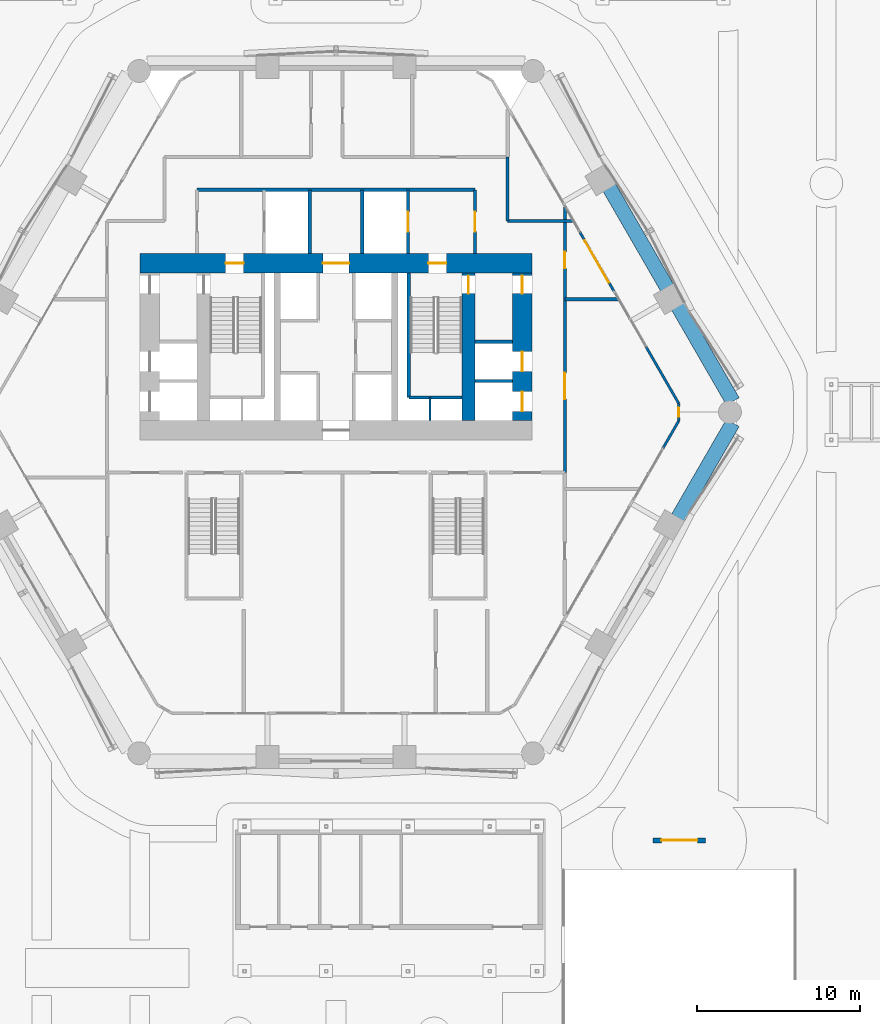
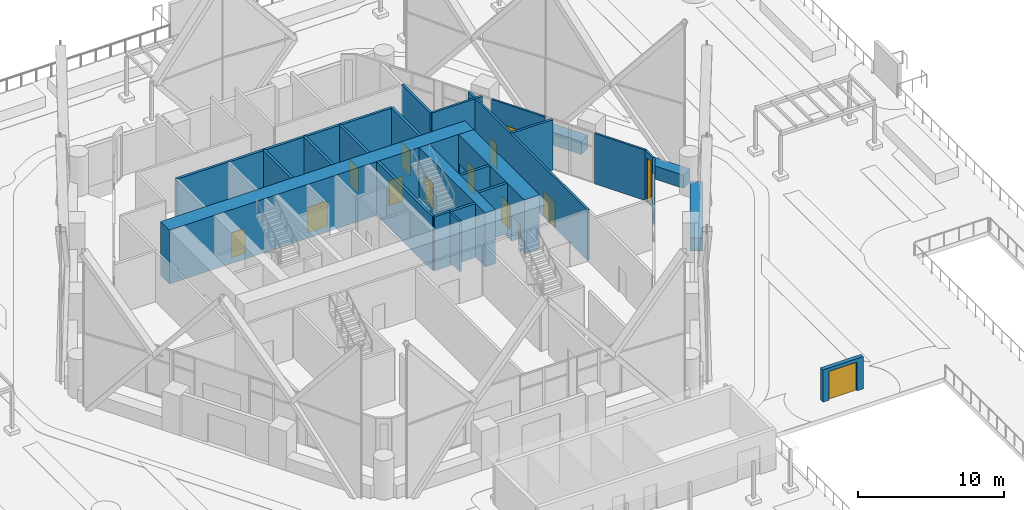
# One storey, part 55 of 71: 25 walls, 13 doors, 1 window, 14 openings.
"""IFC4 building model written with IfcOpenShell, lengths in metres."""

from ifc_helpers import new_model, si_unit, direction, frame, frame_2d, origin, place, context, subcontext, project, spatial, rectangle, extrude, material, layer, layer_set, type_object, element, fill, save


model = new_model("IFC4")

# Units and contexts
model_context = context("Model", 3, precision=1e-05, world=origin(), true_north=direction((0.0, 1.0)))
body_context = subcontext(model_context, "Body", "Model", "MODEL_VIEW")
ifc_project = project(units=[si_unit("LENGTHUNIT", "METRE"), si_unit("AREAUNIT", "SQUARE_METRE"), si_unit("VOLUMEUNIT", "CUBIC_METRE"), si_unit("PLANEANGLEUNIT", "RADIAN"), si_unit("MASSUNIT", "GRAM", prefix="KILO")], contexts=[model_context])

# Site, building, storey
site_placement = place(None, origin())
site = spatial("IfcSite", under=ifc_project, at=site_placement, CompositionType="ELEMENT")
building_placement = place(site_placement, origin())
building = spatial("IfcBuilding", under=site, at=building_placement, Name="Ostrander Bayou Hotel Tower", CompositionType="ELEMENT")
storey_placement = place(building_placement, frame((0.0, 0.0, 10.0)))
storey = spatial("IfcBuildingStorey", under=building, at=storey_placement, Name="L02", CompositionType="ELEMENT", Elevation=10.0)

# Wall, openings, doors
ifc_material_1 = material(Name="Concrete f'c 70 MPa", Category="concrete")
ifc_layer_1 = layer(ifc_material_1, 1.199951171875)
ifc_layer_set_1 = layer_set([ifc_layer_1], Name="CW1 core wall 1200 mm f'c 70 MPa")
wall_type_1 = type_object("IfcWallType", Name="CW1 core wall 1200 mm f'c 70 MPa", PredefinedType="SHEAR", material=ifc_layer_set_1)
wall_1_placement = place(storey_placement, frame((-12.0, 9.10009765625, -0.300048828125), z_axis=(0.0, 0.0, 1.0), x_axis=(1.0, 0.0, 0.0)))
wall_1 = element("IfcWall", 1, at=wall_1_placement, inside=storey, type_object=wall_type_1, Name="CW1 L02 N", PredefinedType="SHEAR", context=body_context, shape_type="SweptSolid", body=[
    extrude(rectangle(XDim=24.0, YDim=1.199951171875, at=frame_2d((12.0, 0.0))), origin(), (0.0, 0.0, 1.0), 4.5),
])
opening_1_placement = place(wall_1_placement, frame((11.199951171875, 0.0, 0.0)))
opening_1 = element("IfcOpeningElement", 2, at=opening_1_placement, cuts=wall_1, Name="Opening T02-002", PredefinedType="OPENING", context=body_context, shape_type="SweptSolid", body=[
    extrude(rectangle(XDim=1.60009765625, YDim=2.10009765625, at=frame_2d((0.800048828125, 1.050048828125))), frame((0.0, 0.60009765625, 0.0), z_axis=(0.0, -1.0, 0.0), x_axis=(1.0, 0.0, 0.0)), (0.0, 0.0, 1.0), 1.199951171875),
])
opening_2_placement = place(wall_1_placement, frame((5.25, 0.0, 0.0)))
opening_2 = element("IfcOpeningElement", 3, at=opening_2_placement, cuts=wall_1, Name="Opening T02-003", PredefinedType="OPENING", context=body_context, shape_type="SweptSolid", body=[
    extrude(rectangle(XDim=1.10009765625, YDim=2.10009765625, at=frame_2d((0.550048828125, 1.050048828125))), frame((0.0, 0.60009765625, 0.0), z_axis=(0.0, -1.0, 0.0), x_axis=(1.0, 0.0, 0.0)), (0.0, 0.0, 1.0), 1.199951171875),
])
opening_3_placement = place(wall_1_placement, frame((17.64990234375, 0.0, 0.0)))
opening_3 = element("IfcOpeningElement", 4, at=opening_3_placement, cuts=wall_1, Name="Opening T02-005", PredefinedType="OPENING", context=body_context, shape_type="SweptSolid", body=[
    extrude(rectangle(XDim=1.10009765625, YDim=2.10009765625, at=frame_2d((0.550048828125, 1.050048828125))), frame((0.0, 0.60009765625, 0.0), z_axis=(0.0, -1.0, 0.0), x_axis=(1.0, 0.0, 0.0)), (0.0, 0.0, 1.0), 1.199951171875),
])
ifc_material_2 = material(Name="Timber door leaf", Category="wood")
door_type_1 = type_object("IfcDoorType", Name="D13 double door 1600 x 2100 mm, 1 hour", OperationType="SINGLE_SWING_LEFT", PredefinedType="DOOR", material=ifc_material_2)
door_1_placement = place(opening_1_placement, origin())
door_1 = element("IfcDoor", 5, at=door_1_placement, inside=storey, type_object=door_type_1, Name="dr:L02:002", OperationType="DOUBLE_DOOR_SINGLE_SWING", OverallHeight=2.10009765625, OverallWidth=1.60009765625, PredefinedType="DOOR", context=body_context, shape_type="SweptSolid", body=[
    extrude(rectangle(XDim=1.60009765625, YDim=2.10009765625, at=frame_2d((0.800048828125, 1.050048828125))), frame((0.0, 0.02490234375, 0.0), z_axis=(0.0, -1.0, 0.0), x_axis=(1.0, 0.0, 0.0)), (0.0, 0.0, 1.0), 0.050048828125),
])
fill(opening_1, door_1)
ifc_material_3 = material(Name="Timber door leaf", Category="wood")
door_type_2 = type_object("IfcDoorType", Name="D5 stair door 1100 x 2100 mm, 90 minute", OperationType="SINGLE_SWING_LEFT", PredefinedType="DOOR", material=ifc_material_3)
door_2_placement = place(opening_2_placement, origin())
door_2 = element("IfcDoor", 6, at=door_2_placement, inside=storey, type_object=door_type_2, Name="dr:L02:003", OperationType="SINGLE_SWING_LEFT", OverallHeight=2.10009765625, OverallWidth=1.10009765625, PredefinedType="DOOR", context=body_context, shape_type="SweptSolid", body=[
    extrude(rectangle(XDim=1.10009765625, YDim=2.10009765625, at=frame_2d((0.550048828125, 1.050048828125))), frame((0.0, 0.02490234375, 0.0), z_axis=(0.0, -1.0, 0.0), x_axis=(1.0, 0.0, 0.0)), (0.0, 0.0, 1.0), 0.050048828125),
])
fill(opening_2, door_2)
door_3_placement = place(opening_3_placement, origin())
door_3 = element("IfcDoor", 7, at=door_3_placement, inside=storey, type_object=door_type_2, Name="dr:L02:005", OperationType="SINGLE_SWING_RIGHT", OverallHeight=2.10009765625, OverallWidth=1.10009765625, PredefinedType="DOOR", context=body_context, shape_type="SweptSolid", body=[
    extrude(rectangle(XDim=1.10009765625, YDim=2.10009765625, at=frame_2d((0.550048828125, 1.050048828125))), frame((0.0, 0.02490234375, 0.0), z_axis=(0.0, -1.0, 0.0), x_axis=(1.0, 0.0, 0.0)), (0.0, 0.0, 1.0), 0.050048828125),
])
fill(opening_3, door_3)

wall_2_placement = place(storey_placement, frame((11.39990234375, -0.5, -0.300048828125), z_axis=(0.0, 0.0, 1.0), x_axis=(0.0, 1.0, 0.0)))
wall_2 = element("IfcWall", 8, at=wall_2_placement, inside=storey, type_object=wall_type_1, Name="CW1 L02 RE", PredefinedType="SHEAR", context=body_context, shape_type="SweptSolid", body=[
    extrude(rectangle(XDim=9.0, YDim=1.199951171875, at=frame_2d((4.5, 0.0))), origin(), (0.0, 0.0, 1.0), 4.5),
])
opening_4_placement = place(wall_2_placement, frame((7.75, 0.0, 0.0)))
opening_4 = element("IfcOpeningElement", 9, at=opening_4_placement, cuts=wall_2, Name="Opening T02-017", PredefinedType="OPENING", context=body_context, shape_type="SweptSolid", body=[
    extrude(rectangle(XDim=1.10009765625, YDim=2.10009765625, at=frame_2d((0.550048828125, 1.050048828125))), frame((0.0, 0.60009765625, 0.0), z_axis=(0.0, -1.0, 0.0), x_axis=(1.0, 0.0, 0.0)), (0.0, 0.0, 1.0), 1.199951171875),
])
opening_5_placement = place(wall_2_placement, frame((0.550048828125, 0.0, 0.0)))
opening_5 = element("IfcOpeningElement", 10, at=opening_5_placement, cuts=wall_2, Name="Opening T02-018", PredefinedType="OPENING", context=body_context, shape_type="SweptSolid", body=[
    extrude(rectangle(XDim=1.199951171875, YDim=2.10009765625, at=frame_2d((0.60009765625, 1.050048828125))), frame((0.0, 0.60009765625, 0.0), z_axis=(0.0, -1.0, 0.0), x_axis=(1.0, 0.0, 0.0)), (0.0, 0.0, 1.0), 1.199951171875),
])
opening_6_placement = place(wall_2_placement, frame((3.0, 0.0, 0.0)))
opening_6 = element("IfcOpeningElement", 11, at=opening_6_placement, cuts=wall_2, Name="Opening T02-019", PredefinedType="OPENING", context=body_context, shape_type="SweptSolid", body=[
    extrude(rectangle(XDim=1.199951171875, YDim=2.10009765625, at=frame_2d((0.60009765625, 1.050048828125))), frame((0.0, 0.60009765625, 0.0), z_axis=(0.0, -1.0, 0.0), x_axis=(1.0, 0.0, 0.0)), (0.0, 0.0, 1.0), 1.199951171875),
])
door_4_placement = place(opening_4_placement, origin())
door_4 = element("IfcDoor", 12, at=door_4_placement, inside=storey, type_object=door_type_2, Name="dr:L02:017", OperationType="SINGLE_SWING_RIGHT", OverallHeight=2.10009765625, OverallWidth=1.10009765625, PredefinedType="DOOR", context=body_context, shape_type="SweptSolid", body=[
    extrude(rectangle(XDim=1.10009765625, YDim=2.10009765625, at=frame_2d((0.550048828125, 1.050048828125))), frame((0.0, 0.02490234375, 0.0), z_axis=(0.0, -1.0, 0.0), x_axis=(1.0, 0.0, 0.0)), (0.0, 0.0, 1.0), 0.050048828125),
])
fill(opening_4, door_4)
ifc_material_4 = material(Name="Stainless steel sliding door", Category="steel")
door_type_3 = type_object("IfcDoorType", Name="LD1 lift landing door 1200 x 2100 mm", OperationType="SINGLE_SWING_LEFT", PredefinedType="DOOR", material=ifc_material_4)
door_5_placement = place(opening_5_placement, origin())
door_5 = element("IfcDoor", 13, at=door_5_placement, inside=storey, type_object=door_type_3, Name="dr:L02:018", OperationType="SLIDING_TO_LEFT", OverallHeight=2.10009765625, OverallWidth=1.199951171875, PredefinedType="DOOR", context=body_context, shape_type="SweptSolid", body=[
    extrude(rectangle(XDim=1.199951171875, YDim=2.10009765625, at=frame_2d((0.60009765625, 1.050048828125))), frame((0.0, 0.02490234375, 0.0), z_axis=(0.0, -1.0, 0.0), x_axis=(1.0, 0.0, 0.0)), (0.0, 0.0, 1.0), 0.050048828125),
])
fill(opening_5, door_5)
door_6_placement = place(opening_6_placement, origin())
door_6 = element("IfcDoor", 14, at=door_6_placement, inside=storey, type_object=door_type_3, Name="dr:L02:019", OperationType="SLIDING_TO_LEFT", OverallHeight=2.10009765625, OverallWidth=1.199951171875, PredefinedType="DOOR", context=body_context, shape_type="SweptSolid", body=[
    extrude(rectangle(XDim=1.199951171875, YDim=2.10009765625, at=frame_2d((0.60009765625, 1.050048828125))), frame((0.0, 0.02490234375, 0.0), z_axis=(0.0, -1.0, 0.0), x_axis=(1.0, 0.0, 0.0)), (0.0, 0.0, 1.0), 0.050048828125),
])
fill(opening_6, door_6)

# Wall, opening, door
ifc_material_5 = material(Name="Concrete f'c 70 MPa", Category="concrete")
ifc_layer_2 = layer(ifc_material_5, 0.800048828125)
ifc_layer_set_2 = layer_set([ifc_layer_2], Name="CW2 core spine wall 800 mm f'c 70 MPa")
wall_type_2 = type_object("IfcWallType", Name="CW2 core spine wall 800 mm f'c 70 MPa", PredefinedType="SHEAR", material=ifc_layer_set_2)
wall_3_placement = place(storey_placement, frame((8.10009765625, -0.5, -0.300048828125), z_axis=(0.0, 0.0, 1.0), x_axis=(0.0, 1.0, 0.0)))
wall_3 = element("IfcWall", 15, at=wall_3_placement, inside=storey, type_object=wall_type_2, Name="CW2 L02 E", PredefinedType="SHEAR", context=body_context, shape_type="SweptSolid", body=[
    extrude(rectangle(XDim=9.0, YDim=0.800048828125, at=frame_2d((4.5, 0.0))), origin(), (0.0, 0.0, 1.0), 4.5),
])
opening_7_placement = place(wall_3_placement, frame((7.75, 0.0, 0.0)))
opening_7 = element("IfcOpeningElement", 16, at=opening_7_placement, cuts=wall_3, Name="Opening T02-006", PredefinedType="OPENING", context=body_context, shape_type="SweptSolid", body=[
    extrude(rectangle(XDim=1.10009765625, YDim=2.10009765625, at=frame_2d((0.550048828125, 1.050048828125))), frame((0.0, 0.39990234375, 0.0), z_axis=(0.0, -1.0, 0.0), x_axis=(1.0, 0.0, 0.0)), (0.0, 0.0, 1.0), 0.800048828125),
])
door_7_placement = place(opening_7_placement, origin())
door_7 = element("IfcDoor", 17, at=door_7_placement, inside=storey, type_object=door_type_2, Name="dr:L02:006", OperationType="SINGLE_SWING_LEFT", OverallHeight=2.10009765625, OverallWidth=1.10009765625, PredefinedType="DOOR", context=body_context, shape_type="SweptSolid", body=[
    extrude(rectangle(XDim=1.10009765625, YDim=2.10009765625, at=frame_2d((0.550048828125, 1.050048828125))), frame((0.0, 0.02490234375, 0.0), z_axis=(0.0, -1.0, 0.0), x_axis=(1.0, 0.0, 0.0)), (0.0, 0.0, 1.0), 0.050048828125),
])
fill(opening_7, door_7)

# Wall
ifc_material_6 = material(Name="Aluminium framed insulated wall", Category="aluminium")
ifc_layer_3 = layer(ifc_material_6, 0.14990234375)
ifc_layer_set_3 = layer_set([ifc_layer_3], Name="GW1 glass-line wall 150 mm")
wall_type_3 = type_object("IfcWallType", Name="GW1 glass-line wall 150 mm", PredefinedType="SOLIDWALL", material=ifc_layer_set_3)
wall_4_placement = place(storey_placement, frame((20.006591796875, -2.19775390625, 0.0), z_axis=(0.0, 0.0, 1.0), x_axis=(0.499989888488, 0.86603124159, 0.0)))
element("IfcWall", 18, at=wall_4_placement, inside=storey, type_object=wall_type_3, Name="GW1 L02 SE end 2", PredefinedType="SOLIDWALL", context=body_context, shape_type="SweptSolid", body=[
    extrude(rectangle(XDim=1.9228515625, YDim=0.14990234375, at=frame_2d((0.96142578125, 0.0))), origin(), (0.0, 0.0, 1.0), 4.199951171875),
])

# Wall, opening, door
wall_5_placement = place(storey_placement, frame((17.006591796875, 7.393798828125, 0.0), z_axis=(0.0, 0.0, 1.0), x_axis=(-0.500002543286, 0.866023935413, 0.0)))
wall_5 = element("IfcWall", 19, at=wall_5_placement, inside=storey, type_object=wall_type_3, Name="GW1 L02 NE 3", PredefinedType="SOLIDWALL", context=body_context, shape_type="SweptSolid", body=[
    extrude(rectangle(XDim=4.2001953125, YDim=0.14990234375, at=frame_2d((2.10009765625, 0.0))), origin(), (0.0, 0.0, 1.0), 4.199951171875),
])
opening_8_placement = place(wall_5_placement, frame((0.60009765625, 0.0, 0.0)))
opening_8 = element("IfcOpeningElement", 20, at=opening_8_placement, cuts=wall_5, Name="Opening T02-807", PredefinedType="OPENING", context=body_context, shape_type="SweptSolid", body=[
    extrude(rectangle(XDim=3.0, YDim=2.39990234375, at=frame_2d((1.5, 1.199951171875))), frame((0.0, 0.074951171875, 0.0), z_axis=(0.0, -1.0, 0.0), x_axis=(1.0, 0.0, 0.0)), (0.0, 0.0, 1.0), 0.14990234375),
])
ifc_material_7 = material(Name="Aluminium and clear glass", Category="aluminium")
door_type_4 = type_object("IfcDoorType", Name="SD5 sliding glass door 3000 mm", OperationType="SLIDING_TO_LEFT", PredefinedType="DOOR", material=ifc_material_7)
door_8_placement = place(opening_8_placement, origin())
door_8 = element("IfcDoor", 21, at=door_8_placement, inside=storey, type_object=door_type_4, Name="SD5 L02 NE 3", OperationType="SLIDING_TO_LEFT", OverallHeight=2.39990234375, OverallWidth=3.0, PredefinedType="DOOR", context=body_context, shape_type="SweptSolid", body=[
    extrude(rectangle(XDim=3.0, YDim=2.39990234375, at=frame_2d((1.5, 1.199951171875))), frame((0.0, 0.02490234375, 0.0), z_axis=(0.0, -1.0, 0.0), x_axis=(1.0, 0.0, 0.0)), (0.0, 0.0, 1.0), 0.050048828125),
])
fill(opening_8, door_8)

# Wall
wall_6_placement = place(storey_placement, frame((20.968017578125, 0.532470703125, 0.0), z_axis=(0.0, 0.0, 1.0), x_axis=(-0.500009633848, 0.866019841608, 0.0)))
element("IfcWall", 22, at=wall_6_placement, inside=storey, type_object=wall_type_3, Name="GW1 L02 NE end 1", PredefinedType="SOLIDWALL", context=body_context, shape_type="SweptSolid", body=[
    extrude(rectangle(XDim=4.02294921875, YDim=0.14990234375, at=frame_2d((2.011474609375, 0.0))), origin(), (0.0, 0.0, 1.0), 4.199951171875),
])

# Wall, opening, window
wall_7_placement = place(storey_placement, frame((20.968017578125, -0.532470703125, 0.0), z_axis=(0.0, 0.0, 1.0), x_axis=(0.0, 1.0, 0.0)))
wall_7 = element("IfcWall", 23, at=wall_7_placement, inside=storey, type_object=wall_type_3, Name="GW1 L02 corner 5", PredefinedType="SOLIDWALL", context=body_context, shape_type="SweptSolid", body=[
    extrude(rectangle(XDim=1.06494140625, YDim=0.14990234375, at=frame_2d((0.532470703125, 0.0))), origin(), (0.0, 0.0, 1.0), 4.199951171875),
])
opening_9_placement = place(wall_7_placement, frame((0.257568359375, 0.0, 0.14990234375)))
opening_9 = element("IfcOpeningElement", 24, at=opening_9_placement, cuts=wall_7, Name="Opening W19", PredefinedType="OPENING", context=body_context, shape_type="SweptSolid", body=[
    extrude(rectangle(XDim=0.550048828125, YDim=3.60009765625, at=frame_2d((0.27490234375, 1.800048828125))), frame((0.0, 0.074951171875, 0.0), z_axis=(0.0, -1.0, 0.0), x_axis=(1.0, 0.0, 0.0)), (0.0, 0.0, 1.0), 0.14990234375),
])
ifc_material_8 = material(Name="Aluminium and clear glass", Category="aluminium")
window_type = type_object("IfcWindowType", Name="W19 corner window 550 mm", PartitioningType="SINGLE_PANEL", PredefinedType="WINDOW", material=ifc_material_8)
window_placement = place(opening_9_placement, origin())
window = element("IfcWindow", 25, at=window_placement, inside=storey, type_object=window_type, Name="W19 L02 corner 5", OverallHeight=3.60009765625, OverallWidth=0.550048828125, PartitioningType="SINGLE_PANEL", PredefinedType="WINDOW", context=body_context, shape_type="SweptSolid", body=[
    extrude(rectangle(XDim=0.550048828125, YDim=3.60009765625, at=frame_2d((0.27490234375, 1.800048828125))), frame((0.0, 0.030029296875, 0.0), z_axis=(0.0, -1.0, 0.0), x_axis=(1.0, 0.0, 0.0)), (0.0, 0.0, 1.0), 0.06005859375),
])
fill(opening_9, window)

# Wall, opening, door
ifc_material_9 = material(Name="Reconstituted stone on masonry backing", Category="masonry")
ifc_layer_4 = layer(ifc_material_9, 0.300048828125)
ifc_layer_set_4 = layer_set([ifc_layer_4], Name="NW1 north stone wall 300 mm")
wall_type_4 = type_object("IfcWallType", Name="NW1 north stone wall 300 mm", PredefinedType="SOLIDWALL", material=ifc_layer_set_4)
wall_8_placement = place(storey_placement, frame((19.39990234375, -26.199951171875, 0.0), z_axis=(0.0, 0.0, 1.0), x_axis=(1.0, 0.0, 0.0)))
wall_8 = element("IfcWall", 26, at=wall_8_placement, inside=storey, type_object=wall_type_4, Name="NW1 garden gate wall", PredefinedType="SOLIDWALL", context=body_context, shape_type="SweptSolid", body=[
    extrude(rectangle(XDim=3.2001953125, YDim=0.300048828125, at=frame_2d((1.60009765625, 0.0))), origin(), (0.0, 0.0, 1.0), 2.699951171875),
])
opening_10_placement = place(wall_8_placement, frame((0.5, 0.0, 0.0)))
opening_10 = element("IfcOpeningElement", 27, at=opening_10_placement, cuts=wall_8, Name="Opening T02-813", PredefinedType="OPENING", context=body_context, shape_type="SweptSolid", body=[
    extrude(rectangle(XDim=2.199951171875, YDim=2.39990234375, at=frame_2d((1.10009765625, 1.199951171875))), frame((0.0, 0.14990234375, 0.0), z_axis=(0.0, -1.0, 0.0), x_axis=(1.0, 0.0, 0.0)), (0.0, 0.0, 1.0), 0.300048828125),
])
ifc_material_10 = material(Name="Aluminium and clear glass", Category="aluminium")
door_type_5 = type_object("IfcDoorType", Name="GD1 garden gate 2200 mm", OperationType="DOUBLE_DOOR_SINGLE_SWING", PredefinedType="DOOR", material=ifc_material_10)
door_9_placement = place(opening_10_placement, origin())
door_9 = element("IfcDoor", 28, at=door_9_placement, inside=storey, type_object=door_type_5, Name="GD1 garden gate", OperationType="DOUBLE_DOOR_SINGLE_SWING", OverallHeight=2.39990234375, OverallWidth=2.199951171875, PredefinedType="DOOR", context=body_context, shape_type="SweptSolid", body=[
    extrude(rectangle(XDim=2.199951171875, YDim=2.39990234375, at=frame_2d((1.10009765625, 1.199951171875))), frame((0.0, 0.02490234375, 0.0), z_axis=(0.0, -1.0, 0.0), x_axis=(1.0, 0.0, 0.0)), (0.0, 0.0, 1.0), 0.050048828125),
])
fill(opening_10, door_9)

# Walls
ifc_material_11 = material(Name="Concrete f'c 40 MPa", Category="concrete")
ifc_layer_5 = layer(ifc_material_11, 0.89990234375)
ifc_layer_set_5 = layer_set([ifc_layer_5], Name="PA1 stone-faced parapet 900 mm")
wall_type_5 = type_object("IfcWallType", Name="PA1 stone-faced parapet 900 mm", PredefinedType="PARAPET", material=ifc_layer_set_5)
wall_9_placement = place(storey_placement, frame((24.274169921875, 0.656005859375, 0.0), z_axis=(0.0, 0.0, 1.0), x_axis=(-0.500005133765, 0.866022439784, 0.0)))
element("IfcWall", 29, at=wall_9_placement, inside=storey, type_object=wall_type_5, Name="PA1 L02 NE-1", PredefinedType="PARAPET", context=body_context, shape_type="SweptSolid", body=[
    extrude(rectangle(XDim=6.70361328125, YDim=0.89990234375, at=frame_2d((3.351806640625, 0.0))), origin(), (0.0, 0.0, 1.0), 1.10009765625),
])
wall_10_placement = place(storey_placement, frame((20.252197265625, 7.621826171875, 0.0), z_axis=(0.0, 0.0, 1.0), x_axis=(-0.499997206141, 0.866027016814, 0.0)))
element("IfcWall", 30, at=wall_10_placement, inside=storey, type_object=wall_type_5, Name="PA1 L02 NE-2", PredefinedType="PARAPET", context=body_context, shape_type="SweptSolid", body=[
    extrude(rectangle(XDim=7.05078125, YDim=0.89990234375, at=frame_2d((3.525390625, 0.0))), origin(), (0.0, 0.0, 1.0), 1.10009765625),
])
ifc_material_12 = material(Name="Limestone masonry", Category="masonry")
ifc_layer_6 = layer(ifc_material_12, 0.89990234375)
ifc_layer_set_6 = layer_set([ifc_layer_6], Name="PA2 limestone parapet 900 mm")
wall_type_6 = type_object("IfcWallType", Name="PA2 limestone parapet 900 mm", PredefinedType="PARAPET", material=ifc_layer_set_6)
wall_11_placement = place(storey_placement, frame((20.92236328125, -6.46142578125, 0.0), z_axis=(0.0, 0.0, 1.0), x_axis=(0.500005133765, 0.866022439784, 0.0)))
element("IfcWall", 31, at=wall_11_placement, inside=storey, type_object=wall_type_6, Name="PA2 L02 SE-3", PredefinedType="PARAPET", context=body_context, shape_type="SweptSolid", body=[
    extrude(rectangle(XDim=6.70361328125, YDim=0.89990234375, at=frame_2d((3.351806640625, 0.0))), origin(), (0.0, 0.0, 1.0), 1.10009765625),
])
ifc_material_13 = material(Name="Gypsum board partition", Category="finish")
ifc_layer_7 = layer(ifc_material_13, 0.199951171875)
ifc_layer_set_7 = layer_set([ifc_layer_7], Name="PT3 demising wall 200 mm acoustic double stud, 1 hour")
wall_type_7 = type_object("IfcWallType", Name="PT3 demising wall 200 mm acoustic double stud, 1 hour", PredefinedType="PARTITIONING", material=ifc_layer_set_7)
wall_12_placement = place(storey_placement, frame((14.0, 6.89990234375, 0.0), z_axis=(0.0, 0.0, 1.0), x_axis=(1.0, 0.0, 0.0)))
element("IfcWall", 32, at=wall_12_placement, inside=storey, type_object=wall_type_7, Name="sw:L02:017", PredefinedType="PARTITIONING", context=body_context, shape_type="SweptSolid", body=[
    extrude(rectangle(XDim=3.2705078125, YDim=0.199951171875, at=frame_2d((1.63525390625, 0.0))), origin(), (0.0, 0.0, 1.0), 4.199951171875),
])
ifc_material_14 = material(Name="Gypsum board partition", Category="finish")
ifc_layer_8 = layer(ifc_material_14, 0.175048828125)
ifc_layer_set_8 = layer_set([ifc_layer_8], Name="PT4 corridor wall 175 mm, 1 hour")
wall_type_8 = type_object("IfcWallType", Name="PT4 corridor wall 175 mm, 1 hour", PredefinedType="PARTITIONING", material=ifc_layer_set_8)
wall_13_placement = place(storey_placement, frame((10.5, 11.699951171875, 0.0), z_axis=(0.0, 0.0, 1.0), x_axis=(1.0, 0.0, 0.0)))
element("IfcWall", 33, at=wall_13_placement, inside=storey, type_object=wall_type_8, Name="sw:L02:005", PredefinedType="PARTITIONING", context=body_context, shape_type="SweptSolid", body=[
    extrude(rectangle(XDim=3.999267578125, YDim=0.175048828125, at=frame_2d((1.99951171875, 0.0))), origin(), (0.0, 0.0, 1.0), 4.199951171875),
])
wall_14_placement = place(storey_placement, frame((10.5, 11.699951171875, 0.0), z_axis=(0.0, 0.0, 1.0), x_axis=(0.0, 1.0, 0.0)))
element("IfcWall", 34, at=wall_14_placement, inside=storey, type_object=wall_type_8, Name="sw:L02:012", PredefinedType="PARTITIONING", context=body_context, shape_type="SweptSolid", body=[
    extrude(rectangle(XDim=3.900146484375, YDim=0.175048828125, at=frame_2d((1.9501953125, 0.0))), origin(), (0.0, 0.0, 1.0), 4.199951171875),
])

# Wall, openings, doors
wall_15_placement = place(storey_placement, frame((14.0, -3.699951171875, 0.0), z_axis=(0.0, 0.0, 1.0), x_axis=(0.0, 1.0, 0.0)))
wall_15 = element("IfcWall", 35, at=wall_15_placement, inside=storey, type_object=wall_type_8, Name="sw:L02:013", PredefinedType="PARTITIONING", context=body_context, shape_type="SweptSolid", body=[
    extrude(rectangle(XDim=16.268310546875, YDim=0.175048828125, at=frame_2d((8.13427734375, 0.0))), origin(), (0.0, 0.0, 1.0), 4.199951171875),
])
opening_11_placement = place(wall_15_placement, frame((4.5, 0.0, 0.0)))
opening_11 = element("IfcOpeningElement", 36, at=opening_11_placement, cuts=wall_15, Name="Opening T02-208", PredefinedType="OPENING", context=body_context, shape_type="SweptSolid", body=[
    extrude(rectangle(XDim=1.60009765625, YDim=2.10009765625, at=frame_2d((0.800048828125, 1.050048828125))), frame((0.0, 0.08740234375, 0.0), z_axis=(0.0, -1.0, 0.0), x_axis=(1.0, 0.0, 0.0)), (0.0, 0.0, 1.0), 0.175048828125),
])
opening_12_placement = place(wall_15_placement, frame((12.5, 0.0, 0.0)))
opening_12 = element("IfcOpeningElement", 37, at=opening_12_placement, cuts=wall_15, Name="Opening T02-213", PredefinedType="OPENING", context=body_context, shape_type="SweptSolid", body=[
    extrude(rectangle(XDim=1.0, YDim=2.10009765625, at=frame_2d((0.5, 1.050048828125))), frame((0.0, 0.08740234375, 0.0), z_axis=(0.0, -1.0, 0.0), x_axis=(1.0, 0.0, 0.0)), (0.0, 0.0, 1.0), 0.175048828125),
])
door_10_placement = place(opening_11_placement, origin())
door_10 = element("IfcDoor", 38, at=door_10_placement, inside=storey, type_object=door_type_1, Name="dr:L02:208", OperationType="DOUBLE_DOOR_SINGLE_SWING", OverallHeight=2.10009765625, OverallWidth=1.60009765625, PredefinedType="DOOR", context=body_context, shape_type="SweptSolid", body=[
    extrude(rectangle(XDim=1.60009765625, YDim=2.10009765625, at=frame_2d((0.800048828125, 1.050048828125))), frame((0.0, 0.02490234375, 0.0), z_axis=(0.0, -1.0, 0.0), x_axis=(1.0, 0.0, 0.0)), (0.0, 0.0, 1.0), 0.050048828125),
])
fill(opening_11, door_10)
ifc_material_15 = material(Name="Timber door leaf", Category="wood")
door_type_6 = type_object("IfcDoorType", Name="D9 service door 1000 x 2100 mm, 30 minute", OperationType="SINGLE_SWING_LEFT", PredefinedType="DOOR", material=ifc_material_15)
door_11_placement = place(opening_12_placement, origin())
door_11 = element("IfcDoor", 39, at=door_11_placement, inside=storey, type_object=door_type_6, Name="dr:L02:213", OperationType="SINGLE_SWING_LEFT", OverallHeight=2.10009765625, OverallWidth=1.0, PredefinedType="DOOR", context=body_context, shape_type="SweptSolid", body=[
    extrude(rectangle(XDim=1.0, YDim=2.10009765625, at=frame_2d((0.5, 1.050048828125))), frame((0.0, 0.02490234375, 0.0), z_axis=(0.0, -1.0, 0.0), x_axis=(1.0, 0.0, 0.0)), (0.0, 0.0, 1.0), 0.050048828125),
])
fill(opening_12, door_11)

# Wall
ifc_material_16 = material(Name="Masonry block", Category="masonry")
ifc_layer_9 = layer(ifc_material_16, 0.199951171875)
ifc_layer_set_9 = layer_set([ifc_layer_9], Name="PT5 stair enclosure wall 200 mm masonry, 2 hour")
wall_type_9 = type_object("IfcWallType", Name="PT5 stair enclosure wall 200 mm masonry, 2 hour", PredefinedType="PARTITIONING", material=ifc_layer_set_9)
wall_16_placement = place(storey_placement, frame((-8.5, 13.60009765625, 0.0), z_axis=(0.0, 0.0, 1.0), x_axis=(1.0, 0.0, 0.0)))
element("IfcWall", 40, at=wall_16_placement, inside=storey, type_object=wall_type_9, Name="cs:L02:023", PredefinedType="PARTITIONING", context=body_context, shape_type="SweptSolid", body=[
    extrude(rectangle(XDim=17.0, YDim=0.199951171875, at=frame_2d((8.5, 0.0))), origin(), (0.0, 0.0, 1.0), 4.199951171875),
])

# Wall, opening, door
wall_17_placement = place(storey_placement, frame((8.5, 9.699951171875, 0.0), z_axis=(0.0, 0.0, 1.0), x_axis=(0.0, 1.0, 0.0)))
wall_17 = element("IfcWall", 41, at=wall_17_placement, inside=storey, type_object=wall_type_9, Name="cs:L02:025", PredefinedType="PARTITIONING", context=body_context, shape_type="SweptSolid", body=[
    extrude(rectangle(XDim=3.900146484375, YDim=0.199951171875, at=frame_2d((1.9501953125, 0.0))), origin(), (0.0, 0.0, 1.0), 4.199951171875),
])
opening_13_placement = place(wall_17_placement, frame((1.35009765625, 0.0, 0.0)))
opening_13 = element("IfcOpeningElement", 42, at=opening_13_placement, cuts=wall_17, Name="Opening T02-012", PredefinedType="OPENING", context=body_context, shape_type="SweptSolid", body=[
    extrude(rectangle(XDim=1.199951171875, YDim=2.10009765625, at=frame_2d((0.60009765625, 1.050048828125))), frame((0.0, 0.10009765625, 0.0), z_axis=(0.0, -1.0, 0.0), x_axis=(1.0, 0.0, 0.0)), (0.0, 0.0, 1.0), 0.199951171875),
])
ifc_material_17 = material(Name="Timber door leaf", Category="wood")
door_type_7 = type_object("IfcDoorType", Name="D7 lobby door 1200 x 2100 mm, 1 hour", OperationType="SINGLE_SWING_LEFT", PredefinedType="DOOR", material=ifc_material_17)
door_12_placement = place(opening_13_placement, origin())
door_12 = element("IfcDoor", 43, at=door_12_placement, inside=storey, type_object=door_type_7, Name="dr:L02:012", OperationType="SINGLE_SWING_LEFT", OverallHeight=2.10009765625, OverallWidth=1.199951171875, PredefinedType="DOOR", context=body_context, shape_type="SweptSolid", body=[
    extrude(rectangle(XDim=1.199951171875, YDim=2.10009765625, at=frame_2d((0.60009765625, 1.050048828125))), frame((0.0, 0.02490234375, 0.0), z_axis=(0.0, -1.0, 0.0), x_axis=(1.0, 0.0, 0.0)), (0.0, 0.0, 1.0), 0.050048828125),
])
fill(opening_13, door_12)

wall_18_placement = place(storey_placement, frame((4.39990234375, 9.699951171875, 0.0), z_axis=(0.0, 0.0, 1.0), x_axis=(0.0, 1.0, 0.0)))
wall_18 = element("IfcWall", 44, at=wall_18_placement, inside=storey, type_object=wall_type_9, Name="cs:L02:027", PredefinedType="PARTITIONING", context=body_context, shape_type="SweptSolid", body=[
    extrude(rectangle(XDim=3.900146484375, YDim=0.199951171875, at=frame_2d((1.9501953125, 0.0))), origin(), (0.0, 0.0, 1.0), 4.199951171875),
])
opening_14_placement = place(wall_18_placement, frame((1.35009765625, 0.0, 0.0)))
opening_14 = element("IfcOpeningElement", 45, at=opening_14_placement, cuts=wall_18, Name="Opening T02-011", PredefinedType="OPENING", context=body_context, shape_type="SweptSolid", body=[
    extrude(rectangle(XDim=1.199951171875, YDim=2.10009765625, at=frame_2d((0.60009765625, 1.050048828125))), frame((0.0, 0.10009765625, 0.0), z_axis=(0.0, -1.0, 0.0), x_axis=(1.0, 0.0, 0.0)), (0.0, 0.0, 1.0), 0.199951171875),
])
door_13_placement = place(opening_14_placement, origin())
door_13 = element("IfcDoor", 46, at=door_13_placement, inside=storey, type_object=door_type_3, Name="dr:L02:011", OperationType="SLIDING_TO_LEFT", OverallHeight=2.10009765625, OverallWidth=1.199951171875, PredefinedType="DOOR", context=body_context, shape_type="SweptSolid", body=[
    extrude(rectangle(XDim=1.199951171875, YDim=2.10009765625, at=frame_2d((0.60009765625, 1.050048828125))), frame((0.0, 0.02490234375, 0.0), z_axis=(0.0, -1.0, 0.0), x_axis=(1.0, 0.0, 0.0)), (0.0, 0.0, 1.0), 0.050048828125),
])
fill(opening_14, door_13)

# Walls
ifc_material_18 = material(Name="Masonry block", Category="masonry")
ifc_layer_10 = layer(ifc_material_18, 0.199951171875)
ifc_layer_set_10 = layer_set([ifc_layer_10], Name="PT6 lift shaft wall 200 mm masonry, 2 hour")
wall_type_10 = type_object("IfcWallType", Name="PT6 lift shaft wall 200 mm masonry, 2 hour", PredefinedType="PARTITIONING", material=ifc_layer_set_10)
for number, where, z_axis, x_axis, name in (
    (47, (-1.60009765625, 9.699951171875, 0.0), (0.0, 0.0, 1.0), (0.0, 1.0, 0.0), "cs:L02:028"),
    (48, (1.60009765625, 9.699951171875, 0.0), (0.0, 0.0, 1.0), (0.0, 1.0, 0.0), "cs:L02:029"),
):
    element("IfcWall", number, at=place(storey_placement, frame(where, z_axis=z_axis, x_axis=x_axis)), inside=storey, type_object=wall_type_10, Name=name, PredefinedType="PARTITIONING", context=body_context, shape_type="SweptSolid", body=[
        extrude(rectangle(XDim=3.900146484375, YDim=0.199951171875, at=frame_2d((1.9501953125, 0.0))), origin(), (0.0, 0.0, 1.0), 4.199951171875),
    ])
for number, where, z_axis, x_axis, name in (
    (49, (8.5, 1.89990234375, 0.0), (0.0, 0.0, 1.0), (1.0, 0.0, 0.0), "cs:L02:033"),
    (50, (8.5, 4.300048828125, 0.0), (0.0, 0.0, 1.0), (1.0, 0.0, 0.0), "cs:L02:034"),
):
    element("IfcWall", number, at=place(storey_placement, frame(where, z_axis=z_axis, x_axis=x_axis)), inside=storey, type_object=wall_type_10, Name=name, PredefinedType="PARTITIONING", context=body_context, shape_type="SweptSolid", body=[
        extrude(rectangle(XDim=2.300048828125, YDim=0.199951171875, at=frame_2d((1.14990234375, 0.0))), origin(), (0.0, 0.0, 1.0), 4.199951171875),
    ])
ifc_material_19 = material(Name="Gypsum board partition", Category="finish")
ifc_layer_11 = layer(ifc_material_19, 0.14990234375)
ifc_layer_set_11 = layer_set([ifc_layer_11], Name="PT7 riser wall 150 mm, 2 hour")
wall_type_11 = type_object("IfcWallType", Name="PT7 riser wall 150 mm, 2 hour", PredefinedType="PARTITIONING", material=ifc_layer_set_11)
wall_19_placement = place(storey_placement, frame((5.75, -0.5, 0.0), z_axis=(0.0, 0.0, 1.0), x_axis=(0.0, 1.0, 0.0)))
element("IfcWall", 51, at=wall_19_placement, inside=storey, type_object=wall_type_11, Name="cs:L02:014", PredefinedType="PARTITIONING", context=body_context, shape_type="SweptSolid", body=[
    extrude(rectangle(XDim=1.39990234375, YDim=0.14990234375, at=frame_2d((0.699951171875, 0.0))), origin(), (0.0, 0.0, 1.0), 4.199951171875),
])
ifc_material_20 = material(Name="Concrete f'c 45 MPa", Category="concrete")
ifc_layer_12 = layer(ifc_material_20, 0.199951171875)
ifc_layer_set_12 = layer_set([ifc_layer_12], Name="SW5 stair enclosure wall 200 mm f'c 45 MPa")
wall_type_12 = type_object("IfcWallType", Name="SW5 stair enclosure wall 200 mm f'c 45 MPa", PredefinedType="SOLIDWALL", material=ifc_layer_set_12)
wall_20_placement = place(storey_placement, frame((4.449951171875, 0.89990234375, -0.300048828125), z_axis=(0.0, 0.0, 1.0), x_axis=(0.0, 1.0, 0.0)))
element("IfcWall", 52, at=wall_20_placement, inside=storey, type_object=wall_type_12, Name="cs:L02:012", PredefinedType="SOLIDWALL", context=body_context, shape_type="SweptSolid", body=[
    extrude(rectangle(XDim=7.60009765625, YDim=0.199951171875, at=frame_2d((3.800048828125, 0.0))), origin(), (0.0, 0.0, 1.0), 4.5),
])
wall_21_placement = place(storey_placement, frame((4.449951171875, 0.89990234375, -0.300048828125), z_axis=(0.0, 0.0, 1.0), x_axis=(1.0, 0.0, 0.0)))
element("IfcWall", 53, at=wall_21_placement, inside=storey, type_object=wall_type_12, Name="cs:L02:013", PredefinedType="SOLIDWALL", context=body_context, shape_type="SweptSolid", body=[
    extrude(rectangle(XDim=3.25, YDim=0.199951171875, at=frame_2d((1.625, 0.0))), origin(), (0.0, 0.0, 1.0), 4.5),
])

save(model, "model.ifc")
